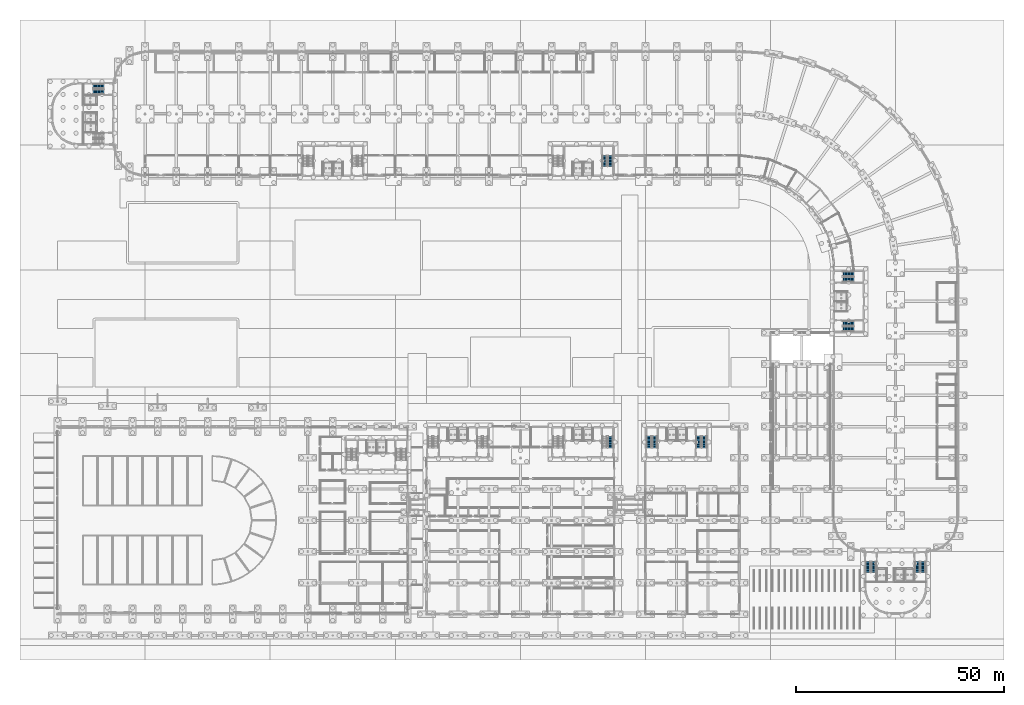
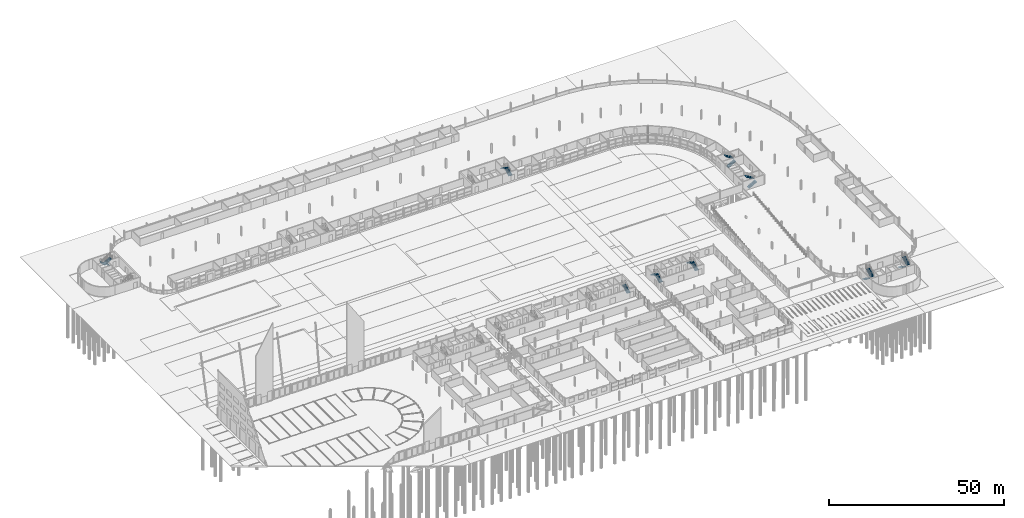
# One storey, part 96 of 130: 17 stair flights, 9 elements without a shape of their own.
"""IFC4 building model written with IfcOpenShell, lengths in metres."""

from ifc_helpers import new_model, si_unit, direction, frame, origin, place, context, subcontext, project, spatial, polyline, outline, extrude, material, type_object, element, aggregate, save


model = new_model("IFC4")

# Units and contexts
model_context = context("Model", 3, precision=1e-05, world=origin(), true_north=direction((0.0, 1.0)))
body_context = subcontext(model_context, "Body", "Model", "MODEL_VIEW")
ifc_project = project(units=[si_unit("LENGTHUNIT", "METRE"), si_unit("AREAUNIT", "SQUARE_METRE"), si_unit("VOLUMEUNIT", "CUBIC_METRE"), si_unit("PLANEANGLEUNIT", "RADIAN"), si_unit("MASSUNIT", "GRAM", prefix="KILO")], contexts=[model_context])

# Site, building, storey
site_placement = place(None, origin())
site = spatial("IfcSite", under=ifc_project, at=site_placement, CompositionType="ELEMENT")
building_placement = place(site_placement, origin())
building = spatial("IfcBuilding", under=site, at=building_placement, Name="Parallax Yard Mobility Hub", CompositionType="ELEMENT")
storey_placement = place(building_placement, origin())
storey = spatial("IfcBuildingStorey", under=building, at=storey_placement, Name="L00", CompositionType="ELEMENT", Elevation=0.0)

# Stair, stair flights
ifc_material = material(Name="Concrete fc' 35 MPa", Category="concrete")
stair_type_1 = type_object("IfcStairType", Name="Exit stair 1200 dog-leg", PredefinedType="HALF_TURN_STAIR", material=ifc_material)
stair_1_placement = place(storey_placement, origin())
stair_1 = element("IfcStair", 1, at=stair_1_placement, inside=storey, type_object=stair_type_1, Name="L00 Exit stair 2 of core C-W", PredefinedType="HALF_TURN_STAIR")
stair_flight_type_1 = type_object("IfcStairFlightType", Name="Exit stair flight 1200", PredefinedType="STRAIGHT", material=ifc_material)
stair_flight_1_placement = place(storey_placement, frame((20.10009765625, 134.10009765625, 0.0), z_axis=(0.0, 0.0, 1.0), x_axis=(-1.0, 0.0, 0.0)))
stair_flight_1 = element("IfcStairFlight", 2, at=stair_flight_1_placement, type_object=stair_flight_type_1, Name="ST2 flight 1", NumberOfRisers=10, NumberOfTreads=9, PredefinedType="STRAIGHT", RiserHeight=0.165, TreadLength=0.285, context=body_context, shape_type="SweptSolid", body=[
    extrude(outline(polyline([(0.0, 0.0), (0.0, 0.1650390625), (0.284912109375, 0.1650390625), (0.284912109375, 0.330078125), (0.570068359375, 0.330078125), (0.570068359375, 0.4951171875), (0.85498046875, 0.4951171875), (0.85498046875, 0.659912109375), (1.139892578125, 0.659912109375), (1.139892578125, 0.824951171875), (1.425048828125, 0.824951171875), (1.425048828125, 0.989990234375), (1.7099609375, 0.989990234375), (1.7099609375, 1.155029296875), (1.9951171875, 1.155029296875), (1.9951171875, 1.320068359375), (2.280029296875, 1.320068359375), (2.280029296875, 1.485107421875), (2.56494140625, 1.485107421875), (2.56494140625, 1.64990234375), (2.56494140625, 1.311767578125), (0.299072265625, 0.0), (0.0, 0.0)])), frame((0.0, 0.60009765625, 0.0), z_axis=(0.0, -1.0, 0.0), x_axis=(1.0, 0.0, 0.0)), (0.0, 0.0, 1.0), 1.199951171875),
])
stair_flight_2_placement = place(storey_placement, frame((17.534912109375, 132.75, 1.64990234375), z_axis=(0.0, 0.0, 1.0), x_axis=(1.0, 0.0, 0.0)))
stair_flight_2 = element("IfcStairFlight", 3, at=stair_flight_2_placement, type_object=stair_flight_type_1, Name="ST2 flight 2", NumberOfRisers=10, NumberOfTreads=9, PredefinedType="STRAIGHT", RiserHeight=0.165, TreadLength=0.285, context=body_context, shape_type="SweptSolid", body=[
    extrude(outline(polyline([(0.0, 0.0), (0.0, 0.1650390625), (0.284912109375, 0.1650390625), (0.284912109375, 0.330078125), (0.570068359375, 0.330078125), (0.570068359375, 0.4951171875), (0.85498046875, 0.4951171875), (0.85498046875, 0.659912109375), (1.139892578125, 0.659912109375), (1.139892578125, 0.824951171875), (1.425048828125, 0.824951171875), (1.425048828125, 0.989990234375), (1.7099609375, 0.989990234375), (1.7099609375, 1.155029296875), (1.9951171875, 1.155029296875), (1.9951171875, 1.320068359375), (2.280029296875, 1.320068359375), (2.280029296875, 1.485107421875), (2.56494140625, 1.485107421875), (2.56494140625, 1.64990234375), (2.56494140625, 1.311767578125), (0.299072265625, 0.0), (0.0, 0.0)])), frame((0.0, 0.60009765625, 0.0), z_axis=(0.0, -1.0, 0.0), x_axis=(1.0, 0.0, 0.0)), (0.0, 0.0, 1.0), 1.199951171875),
])
aggregate(stair_1, [stair_flight_1, stair_flight_2])

stair_2_placement = place(storey_placement, origin())
stair_2 = element("IfcStair", 4, at=stair_2_placement, inside=storey, type_object=stair_type_1, Name="L00 Exit stair 1 of core C-N2", PredefinedType="HALF_TURN_STAIR")
stair_flight_3_placement = place(storey_placement, frame((141.60009765625, 114.89990234375, 0.0), z_axis=(0.0, 0.0, 1.0), x_axis=(0.0, 1.0, 0.0)))
stair_flight_3 = element("IfcStairFlight", 5, at=stair_flight_3_placement, type_object=stair_flight_type_1, Name="ST5 flight 1", NumberOfRisers=10, NumberOfTreads=9, PredefinedType="STRAIGHT", RiserHeight=0.165, TreadLength=0.285, context=body_context, shape_type="SweptSolid", body=[
    extrude(outline(polyline([(0.0, 0.0), (0.0, 0.1650390625), (0.284912109375, 0.1650390625), (0.284912109375, 0.330078125), (0.570068359375, 0.330078125), (0.570068359375, 0.4951171875), (0.85498046875, 0.4951171875), (0.85498046875, 0.659912109375), (1.139892578125, 0.659912109375), (1.139892578125, 0.824951171875), (1.425048828125, 0.824951171875), (1.425048828125, 0.989990234375), (1.7099609375, 0.989990234375), (1.7099609375, 1.155029296875), (1.9951171875, 1.155029296875), (1.9951171875, 1.320068359375), (2.280029296875, 1.320068359375), (2.280029296875, 1.485107421875), (2.56494140625, 1.485107421875), (2.56494140625, 1.64990234375), (2.56494140625, 1.311767578125), (0.299072265625, 0.0), (0.0, 0.0)])), frame((0.0, 0.60009765625, 0.0), z_axis=(0.0, -1.0, 0.0), x_axis=(1.0, 0.0, 0.0)), (0.0, 0.0, 1.0), 1.199951171875),
])
stair_flight_4_placement = place(storey_placement, frame((140.25, 117.465087890625, 1.64990234375), z_axis=(0.0, 0.0, 1.0), x_axis=(0.0, -1.0, 0.0)))
stair_flight_4 = element("IfcStairFlight", 6, at=stair_flight_4_placement, type_object=stair_flight_type_1, Name="ST5 flight 2", NumberOfRisers=10, NumberOfTreads=9, PredefinedType="STRAIGHT", RiserHeight=0.165, TreadLength=0.285, context=body_context, shape_type="SweptSolid", body=[
    extrude(outline(polyline([(0.0, 0.0), (0.0, 0.1650390625), (0.284912109375, 0.1650390625), (0.284912109375, 0.330078125), (0.570068359375, 0.330078125), (0.570068359375, 0.4951171875), (0.85498046875, 0.4951171875), (0.85498046875, 0.659912109375), (1.139892578125, 0.659912109375), (1.139892578125, 0.824951171875), (1.425048828125, 0.824951171875), (1.425048828125, 0.989990234375), (1.7099609375, 0.989990234375), (1.7099609375, 1.155029296875), (1.9951171875, 1.155029296875), (1.9951171875, 1.320068359375), (2.280029296875, 1.320068359375), (2.280029296875, 1.485107421875), (2.56494140625, 1.485107421875), (2.56494140625, 1.64990234375), (2.56494140625, 1.311767578125), (0.299072265625, 0.0), (0.0, 0.0)])), frame((0.0, 0.60009765625, 0.0), z_axis=(0.0, -1.0, 0.0), x_axis=(1.0, 0.0, 0.0)), (0.0, 0.0, 1.0), 1.199951171875),
])
aggregate(stair_2, [stair_flight_3, stair_flight_4])

stair_3_placement = place(storey_placement, origin())
stair_3 = element("IfcStair", 7, at=stair_3_placement, inside=storey, type_object=stair_type_1, Name="L00 Exit stair 1 of core C-E", PredefinedType="HALF_TURN_STAIR")
stair_flight_5_placement = place(storey_placement, frame((197.39990234375, 75.89990234375, 0.0), z_axis=(0.0, 0.0, 1.0), x_axis=(1.0, 0.0, 0.0)))
stair_flight_5 = element("IfcStairFlight", 8, at=stair_flight_5_placement, type_object=stair_flight_type_1, Name="ST7 flight 1", NumberOfRisers=10, NumberOfTreads=9, PredefinedType="STRAIGHT", RiserHeight=0.165, TreadLength=0.285, context=body_context, shape_type="SweptSolid", body=[
    extrude(outline(polyline([(0.0, 0.0), (0.0, 0.1650390625), (0.284912109375, 0.1650390625), (0.284912109375, 0.330078125), (0.570068359375, 0.330078125), (0.570068359375, 0.4951171875), (0.85498046875, 0.4951171875), (0.85498046875, 0.659912109375), (1.139892578125, 0.659912109375), (1.139892578125, 0.824951171875), (1.425048828125, 0.824951171875), (1.425048828125, 0.989990234375), (1.7099609375, 0.989990234375), (1.7099609375, 1.155029296875), (1.9951171875, 1.155029296875), (1.9951171875, 1.320068359375), (2.280029296875, 1.320068359375), (2.280029296875, 1.485107421875), (2.56494140625, 1.485107421875), (2.56494140625, 1.64990234375), (2.56494140625, 1.311767578125), (0.299072265625, 0.0), (0.0, 0.0)])), frame((0.0, 0.60009765625, 0.0), z_axis=(0.0, -1.0, 0.0), x_axis=(1.0, 0.0, 0.0)), (0.0, 0.0, 1.0), 1.199951171875),
])
stair_flight_6_placement = place(storey_placement, frame((199.965087890625, 77.25, 1.64990234375), z_axis=(0.0, 0.0, 1.0), x_axis=(-1.0, 0.0, 0.0)))
stair_flight_6 = element("IfcStairFlight", 9, at=stair_flight_6_placement, type_object=stair_flight_type_1, Name="ST7 flight 2", NumberOfRisers=10, NumberOfTreads=9, PredefinedType="STRAIGHT", RiserHeight=0.165, TreadLength=0.285, context=body_context, shape_type="SweptSolid", body=[
    extrude(outline(polyline([(0.0, 0.0), (0.0, 0.1650390625), (0.284912109375, 0.1650390625), (0.284912109375, 0.330078125), (0.570068359375, 0.330078125), (0.570068359375, 0.4951171875), (0.85498046875, 0.4951171875), (0.85498046875, 0.659912109375), (1.139892578125, 0.659912109375), (1.139892578125, 0.824951171875), (1.425048828125, 0.824951171875), (1.425048828125, 0.989990234375), (1.7099609375, 0.989990234375), (1.7099609375, 1.155029296875), (1.9951171875, 1.155029296875), (1.9951171875, 1.320068359375), (2.280029296875, 1.320068359375), (2.280029296875, 1.485107421875), (2.56494140625, 1.485107421875), (2.56494140625, 1.64990234375), (2.56494140625, 1.311767578125), (0.299072265625, 0.0), (0.0, 0.0)])), frame((0.0, 0.60009765625, 0.0), z_axis=(0.0, -1.0, 0.0), x_axis=(1.0, 0.0, 0.0)), (0.0, 0.0, 1.0), 1.199951171875),
])
aggregate(stair_3, [stair_flight_5, stair_flight_6])

stair_4_placement = place(storey_placement, origin())
stair_4 = element("IfcStair", 10, at=stair_4_placement, inside=storey, type_object=stair_type_1, Name="L00 Exit stair 2 of core C-E", PredefinedType="HALF_TURN_STAIR")
stair_flight_7_placement = place(storey_placement, frame((197.39990234375, 87.75, 0.0), z_axis=(0.0, 0.0, 1.0), x_axis=(1.0, 0.0, 0.0)))
stair_flight_7 = element("IfcStairFlight", 11, at=stair_flight_7_placement, type_object=stair_flight_type_1, Name="ST8 flight 1", NumberOfRisers=10, NumberOfTreads=9, PredefinedType="STRAIGHT", RiserHeight=0.165, TreadLength=0.285, context=body_context, shape_type="SweptSolid", body=[
    extrude(outline(polyline([(0.0, 0.0), (0.0, 0.1650390625), (0.284912109375, 0.1650390625), (0.284912109375, 0.330078125), (0.570068359375, 0.330078125), (0.570068359375, 0.4951171875), (0.85498046875, 0.4951171875), (0.85498046875, 0.659912109375), (1.139892578125, 0.659912109375), (1.139892578125, 0.824951171875), (1.425048828125, 0.824951171875), (1.425048828125, 0.989990234375), (1.7099609375, 0.989990234375), (1.7099609375, 1.155029296875), (1.9951171875, 1.155029296875), (1.9951171875, 1.320068359375), (2.280029296875, 1.320068359375), (2.280029296875, 1.485107421875), (2.56494140625, 1.485107421875), (2.56494140625, 1.64990234375), (2.56494140625, 1.311767578125), (0.299072265625, 0.0), (0.0, 0.0)])), frame((0.0, 0.60009765625, 0.0), z_axis=(0.0, -1.0, 0.0), x_axis=(1.0, 0.0, 0.0)), (0.0, 0.0, 1.0), 1.199951171875),
])
stair_flight_8_placement = place(storey_placement, frame((199.965087890625, 89.10009765625, 1.64990234375), z_axis=(0.0, 0.0, 1.0), x_axis=(-1.0, 0.0, 0.0)))
stair_flight_8 = element("IfcStairFlight", 12, at=stair_flight_8_placement, type_object=stair_flight_type_1, Name="ST8 flight 2", NumberOfRisers=10, NumberOfTreads=9, PredefinedType="STRAIGHT", RiserHeight=0.165, TreadLength=0.285, context=body_context, shape_type="SweptSolid", body=[
    extrude(outline(polyline([(0.0, 0.0), (0.0, 0.1650390625), (0.284912109375, 0.1650390625), (0.284912109375, 0.330078125), (0.570068359375, 0.330078125), (0.570068359375, 0.4951171875), (0.85498046875, 0.4951171875), (0.85498046875, 0.659912109375), (1.139892578125, 0.659912109375), (1.139892578125, 0.824951171875), (1.425048828125, 0.824951171875), (1.425048828125, 0.989990234375), (1.7099609375, 0.989990234375), (1.7099609375, 1.155029296875), (1.9951171875, 1.155029296875), (1.9951171875, 1.320068359375), (2.280029296875, 1.320068359375), (2.280029296875, 1.485107421875), (2.56494140625, 1.485107421875), (2.56494140625, 1.64990234375), (2.56494140625, 1.311767578125), (0.299072265625, 0.0), (0.0, 0.0)])), frame((0.0, 0.60009765625, 0.0), z_axis=(0.0, -1.0, 0.0), x_axis=(1.0, 0.0, 0.0)), (0.0, 0.0, 1.0), 1.199951171875),
])
aggregate(stair_4, [stair_flight_7, stair_flight_8])

stair_5_placement = place(storey_placement, origin())
stair_5 = element("IfcStair", 13, at=stair_5_placement, inside=storey, type_object=stair_type_1, Name="L00 Exit stair 1 of core C-S", PredefinedType="HALF_TURN_STAIR")
stair_flight_9_placement = place(storey_placement, frame((215.25, 20.10009765625, 0.0), z_axis=(0.0, 0.0, 1.0), x_axis=(0.0, -1.0, 0.0)))
stair_flight_9 = element("IfcStairFlight", 14, at=stair_flight_9_placement, type_object=stair_flight_type_1, Name="ST9 flight 1", NumberOfRisers=10, NumberOfTreads=9, PredefinedType="STRAIGHT", RiserHeight=0.165, TreadLength=0.285, context=body_context, shape_type="SweptSolid", body=[
    extrude(outline(polyline([(0.0, 0.0), (0.0, 0.1650390625), (0.284912109375, 0.1650390625), (0.284912109375, 0.330078125), (0.570068359375, 0.330078125), (0.570068359375, 0.4951171875), (0.85498046875, 0.4951171875), (0.85498046875, 0.659912109375), (1.139892578125, 0.659912109375), (1.139892578125, 0.824951171875), (1.425048828125, 0.824951171875), (1.425048828125, 0.989990234375), (1.7099609375, 0.989990234375), (1.7099609375, 1.155029296875), (1.9951171875, 1.155029296875), (1.9951171875, 1.320068359375), (2.280029296875, 1.320068359375), (2.280029296875, 1.485107421875), (2.56494140625, 1.485107421875), (2.56494140625, 1.64990234375), (2.56494140625, 1.311767578125), (0.299072265625, 0.0), (0.0, 0.0)])), frame((0.0, 0.60009765625, 0.0), z_axis=(0.0, -1.0, 0.0), x_axis=(1.0, 0.0, 0.0)), (0.0, 0.0, 1.0), 1.199951171875),
])
stair_flight_10_placement = place(storey_placement, frame((216.60009765625, 17.534912109375, 1.64990234375), z_axis=(0.0, 0.0, 1.0), x_axis=(0.0, 1.0, 0.0)))
stair_flight_10 = element("IfcStairFlight", 15, at=stair_flight_10_placement, type_object=stair_flight_type_1, Name="ST9 flight 2", NumberOfRisers=10, NumberOfTreads=9, PredefinedType="STRAIGHT", RiserHeight=0.165, TreadLength=0.285, context=body_context, shape_type="SweptSolid", body=[
    extrude(outline(polyline([(0.0, 0.0), (0.0, 0.1650390625), (0.284912109375, 0.1650390625), (0.284912109375, 0.330078125), (0.570068359375, 0.330078125), (0.570068359375, 0.4951171875), (0.85498046875, 0.4951171875), (0.85498046875, 0.659912109375), (1.139892578125, 0.659912109375), (1.139892578125, 0.824951171875), (1.425048828125, 0.824951171875), (1.425048828125, 0.989990234375), (1.7099609375, 0.989990234375), (1.7099609375, 1.155029296875), (1.9951171875, 1.155029296875), (1.9951171875, 1.320068359375), (2.280029296875, 1.320068359375), (2.280029296875, 1.485107421875), (2.56494140625, 1.485107421875), (2.56494140625, 1.64990234375), (2.56494140625, 1.311767578125), (0.299072265625, 0.0), (0.0, 0.0)])), frame((0.0, 0.60009765625, 0.0), z_axis=(0.0, -1.0, 0.0), x_axis=(1.0, 0.0, 0.0)), (0.0, 0.0, 1.0), 1.199951171875),
])
aggregate(stair_5, [stair_flight_9, stair_flight_10])

stair_6_placement = place(storey_placement, origin())
stair_6 = element("IfcStair", 16, at=stair_6_placement, inside=storey, type_object=stair_type_1, Name="L00 Exit stair 2 of core C-S", PredefinedType="HALF_TURN_STAIR")
stair_flight_11_placement = place(storey_placement, frame((203.39990234375, 20.10009765625, 0.0), z_axis=(0.0, 0.0, 1.0), x_axis=(0.0, -1.0, 0.0)))
stair_flight_11 = element("IfcStairFlight", 17, at=stair_flight_11_placement, type_object=stair_flight_type_1, Name="ST10 flight 1", NumberOfRisers=10, NumberOfTreads=9, PredefinedType="STRAIGHT", RiserHeight=0.165, TreadLength=0.285, context=body_context, shape_type="SweptSolid", body=[
    extrude(outline(polyline([(0.0, 0.0), (0.0, 0.1650390625), (0.284912109375, 0.1650390625), (0.284912109375, 0.330078125), (0.570068359375, 0.330078125), (0.570068359375, 0.4951171875), (0.85498046875, 0.4951171875), (0.85498046875, 0.659912109375), (1.139892578125, 0.659912109375), (1.139892578125, 0.824951171875), (1.425048828125, 0.824951171875), (1.425048828125, 0.989990234375), (1.7099609375, 0.989990234375), (1.7099609375, 1.155029296875), (1.9951171875, 1.155029296875), (1.9951171875, 1.320068359375), (2.280029296875, 1.320068359375), (2.280029296875, 1.485107421875), (2.56494140625, 1.485107421875), (2.56494140625, 1.64990234375), (2.56494140625, 1.311767578125), (0.299072265625, 0.0), (0.0, 0.0)])), frame((0.0, 0.60009765625, 0.0), z_axis=(0.0, -1.0, 0.0), x_axis=(1.0, 0.0, 0.0)), (0.0, 0.0, 1.0), 1.199951171875),
])
stair_flight_12_placement = place(storey_placement, frame((204.75, 17.534912109375, 1.64990234375), z_axis=(0.0, 0.0, 1.0), x_axis=(0.0, 1.0, 0.0)))
stair_flight_12 = element("IfcStairFlight", 18, at=stair_flight_12_placement, type_object=stair_flight_type_1, Name="ST10 flight 2", NumberOfRisers=10, NumberOfTreads=9, PredefinedType="STRAIGHT", RiserHeight=0.165, TreadLength=0.285, context=body_context, shape_type="SweptSolid", body=[
    extrude(outline(polyline([(0.0, 0.0), (0.0, 0.1650390625), (0.284912109375, 0.1650390625), (0.284912109375, 0.330078125), (0.570068359375, 0.330078125), (0.570068359375, 0.4951171875), (0.85498046875, 0.4951171875), (0.85498046875, 0.659912109375), (1.139892578125, 0.659912109375), (1.139892578125, 0.824951171875), (1.425048828125, 0.824951171875), (1.425048828125, 0.989990234375), (1.7099609375, 0.989990234375), (1.7099609375, 1.155029296875), (1.9951171875, 1.155029296875), (1.9951171875, 1.320068359375), (2.280029296875, 1.320068359375), (2.280029296875, 1.485107421875), (2.56494140625, 1.485107421875), (2.56494140625, 1.64990234375), (2.56494140625, 1.311767578125), (0.299072265625, 0.0), (0.0, 0.0)])), frame((0.0, 0.60009765625, 0.0), z_axis=(0.0, -1.0, 0.0), x_axis=(1.0, 0.0, 0.0)), (0.0, 0.0, 1.0), 1.199951171875),
])
aggregate(stair_6, [stair_flight_11, stair_flight_12])

stair_type_2 = type_object("IfcStairType", Name="Public hall stair 1200 dog-leg", PredefinedType="HALF_TURN_STAIR", material=ifc_material)
stair_7_placement = place(storey_placement, origin())
stair_7 = element("IfcStair", 19, at=stair_7_placement, inside=storey, type_object=stair_type_2, Name="L00 Exit stair 1 of core C5", PredefinedType="HALF_TURN_STAIR")
stair_flight_type_2 = type_object("IfcStairFlightType", Name="Public hall stair flight 1200", PredefinedType="STRAIGHT", material=ifc_material)
stair_flight_13_placement = place(storey_placement, frame((152.25, 47.39990234375, 0.0), z_axis=(0.0, 0.0, 1.0), x_axis=(0.0, 1.0, 0.0)))
stair_flight_13 = element("IfcStairFlight", 20, at=stair_flight_13_placement, type_object=stair_flight_type_2, Name="ST15 flight 1", NumberOfRisers=10, NumberOfTreads=9, PredefinedType="STRAIGHT", RiserHeight=0.165, TreadLength=0.31, context=body_context, shape_type="SweptSolid", body=[
    extrude(outline(polyline([(0.0, 0.0), (0.0, 0.1650390625), (0.31005859375, 0.1650390625), (0.31005859375, 0.330078125), (0.6201171875, 0.330078125), (0.6201171875, 0.4951171875), (0.929931640625, 0.4951171875), (0.929931640625, 0.659912109375), (1.239990234375, 0.659912109375), (1.239990234375, 0.824951171875), (1.550048828125, 0.824951171875), (1.550048828125, 0.989990234375), (1.860107421875, 0.989990234375), (1.860107421875, 1.155029296875), (2.169921875, 1.155029296875), (2.169921875, 1.320068359375), (2.47998046875, 1.320068359375), (2.47998046875, 1.485107421875), (2.7900390625, 1.485107421875), (2.7900390625, 1.64990234375), (2.7900390625, 1.315185546875), (0.319091796875, 0.0), (0.0, 0.0)])), frame((0.0, 0.60009765625, 0.0), z_axis=(0.0, -1.0, 0.0), x_axis=(1.0, 0.0, 0.0)), (0.0, 0.0, 1.0), 1.199951171875),
])
stair_flight_14_placement = place(storey_placement, frame((150.89990234375, 50.18994140625, 1.64990234375), z_axis=(0.0, 0.0, 1.0), x_axis=(0.0, -1.0, 0.0)))
stair_flight_14 = element("IfcStairFlight", 21, at=stair_flight_14_placement, type_object=stair_flight_type_2, Name="ST15 flight 2", NumberOfRisers=10, NumberOfTreads=9, PredefinedType="STRAIGHT", RiserHeight=0.165, TreadLength=0.31, context=body_context, shape_type="SweptSolid", body=[
    extrude(outline(polyline([(0.0, 0.0), (0.0, 0.1650390625), (0.31005859375, 0.1650390625), (0.31005859375, 0.330078125), (0.6201171875, 0.330078125), (0.6201171875, 0.4951171875), (0.929931640625, 0.4951171875), (0.929931640625, 0.659912109375), (1.239990234375, 0.659912109375), (1.239990234375, 0.824951171875), (1.550048828125, 0.824951171875), (1.550048828125, 0.989990234375), (1.860107421875, 0.989990234375), (1.860107421875, 1.155029296875), (2.169921875, 1.155029296875), (2.169921875, 1.320068359375), (2.47998046875, 1.320068359375), (2.47998046875, 1.485107421875), (2.7900390625, 1.485107421875), (2.7900390625, 1.64990234375), (2.7900390625, 1.315185546875), (0.319091796875, 0.0), (0.0, 0.0)])), frame((0.0, 0.60009765625, 0.0), z_axis=(0.0, -1.0, 0.0), x_axis=(1.0, 0.0, 0.0)), (0.0, 0.0, 1.0), 1.199951171875),
])
aggregate(stair_7, [stair_flight_13, stair_flight_14])

stair_8_placement = place(storey_placement, origin())
stair_8 = element("IfcStair", 22, at=stair_8_placement, inside=storey, type_object=stair_type_2, Name="L00 Exit stair 2 of core C5", PredefinedType="HALF_TURN_STAIR")
stair_flight_15_placement = place(storey_placement, frame((164.10009765625, 47.39990234375, 0.0), z_axis=(0.0, 0.0, 1.0), x_axis=(0.0, 1.0, 0.0)))
stair_flight_15 = element("IfcStairFlight", 23, at=stair_flight_15_placement, type_object=stair_flight_type_2, Name="ST16 flight 1", NumberOfRisers=10, NumberOfTreads=9, PredefinedType="STRAIGHT", RiserHeight=0.165, TreadLength=0.31, context=body_context, shape_type="SweptSolid", body=[
    extrude(outline(polyline([(0.0, 0.0), (0.0, 0.1650390625), (0.31005859375, 0.1650390625), (0.31005859375, 0.330078125), (0.6201171875, 0.330078125), (0.6201171875, 0.4951171875), (0.929931640625, 0.4951171875), (0.929931640625, 0.659912109375), (1.239990234375, 0.659912109375), (1.239990234375, 0.824951171875), (1.550048828125, 0.824951171875), (1.550048828125, 0.989990234375), (1.860107421875, 0.989990234375), (1.860107421875, 1.155029296875), (2.169921875, 1.155029296875), (2.169921875, 1.320068359375), (2.47998046875, 1.320068359375), (2.47998046875, 1.485107421875), (2.7900390625, 1.485107421875), (2.7900390625, 1.64990234375), (2.7900390625, 1.315185546875), (0.319091796875, 0.0), (0.0, 0.0)])), frame((0.0, 0.60009765625, 0.0), z_axis=(0.0, -1.0, 0.0), x_axis=(1.0, 0.0, 0.0)), (0.0, 0.0, 1.0), 1.199951171875),
])
stair_flight_16_placement = place(storey_placement, frame((162.75, 50.18994140625, 1.64990234375), z_axis=(0.0, 0.0, 1.0), x_axis=(0.0, -1.0, 0.0)))
stair_flight_16 = element("IfcStairFlight", 24, at=stair_flight_16_placement, type_object=stair_flight_type_2, Name="ST16 flight 2", NumberOfRisers=10, NumberOfTreads=9, PredefinedType="STRAIGHT", RiserHeight=0.165, TreadLength=0.31, context=body_context, shape_type="SweptSolid", body=[
    extrude(outline(polyline([(0.0, 0.0), (0.0, 0.1650390625), (0.31005859375, 0.1650390625), (0.31005859375, 0.330078125), (0.6201171875, 0.330078125), (0.6201171875, 0.4951171875), (0.929931640625, 0.4951171875), (0.929931640625, 0.659912109375), (1.239990234375, 0.659912109375), (1.239990234375, 0.824951171875), (1.550048828125, 0.824951171875), (1.550048828125, 0.989990234375), (1.860107421875, 0.989990234375), (1.860107421875, 1.155029296875), (2.169921875, 1.155029296875), (2.169921875, 1.320068359375), (2.47998046875, 1.320068359375), (2.47998046875, 1.485107421875), (2.7900390625, 1.485107421875), (2.7900390625, 1.64990234375), (2.7900390625, 1.315185546875), (0.319091796875, 0.0), (0.0, 0.0)])), frame((0.0, 0.60009765625, 0.0), z_axis=(0.0, -1.0, 0.0), x_axis=(1.0, 0.0, 0.0)), (0.0, 0.0, 1.0), 1.199951171875),
])
aggregate(stair_8, [stair_flight_15, stair_flight_16])

# Stair, stair flight
stair_type_3 = type_object("IfcStairType", Name="Sports deck stair 1200 dog-leg", PredefinedType="HALF_TURN_STAIR", material=ifc_material)
stair_9_placement = place(storey_placement, origin())
stair_9 = element("IfcStair", 25, at=stair_9_placement, inside=storey, type_object=stair_type_3, Name="L00 Exit stair 2 of core C6-E", PredefinedType="HALF_TURN_STAIR")
stair_flight_type_3 = type_object("IfcStairFlightType", Name="Sports deck stair flight 1200", PredefinedType="STRAIGHT", material=ifc_material)
stair_flight_17_placement = place(storey_placement, frame((141.60009765625, 47.39990234375, 0.0), z_axis=(0.0, 0.0, 1.0), x_axis=(0.0, 1.0, 0.0)))
stair_flight_17 = element("IfcStairFlight", 26, at=stair_flight_17_placement, type_object=stair_flight_type_3, Name="ST14 flight 1", NumberOfRisers=10, NumberOfTreads=9, PredefinedType="STRAIGHT", RiserHeight=0.165, TreadLength=0.3, context=body_context, shape_type="SweptSolid", body=[
    extrude(outline(polyline([(0.0, 0.0), (0.0, 0.1650390625), (0.300048828125, 0.1650390625), (0.300048828125, 0.330078125), (0.60009765625, 0.330078125), (0.60009765625, 0.4951171875), (0.89990234375, 0.4951171875), (0.89990234375, 0.659912109375), (1.199951171875, 0.659912109375), (1.199951171875, 0.824951171875), (1.5, 0.824951171875), (1.5, 0.989990234375), (1.800048828125, 0.989990234375), (1.800048828125, 1.155029296875), (2.10009765625, 1.155029296875), (2.10009765625, 1.320068359375), (2.39990234375, 1.320068359375), (2.39990234375, 1.485107421875), (2.699951171875, 1.485107421875), (2.699951171875, 1.64990234375), (2.699951171875, 1.31396484375), (0.31103515625, 0.0), (0.0, 0.0)])), frame((0.0, 0.60009765625, 0.0), z_axis=(0.0, -1.0, 0.0), x_axis=(1.0, 0.0, 0.0)), (0.0, 0.0, 1.0), 1.199951171875),
])
aggregate(stair_9, [stair_flight_17])

save(model, "model.ifc")
